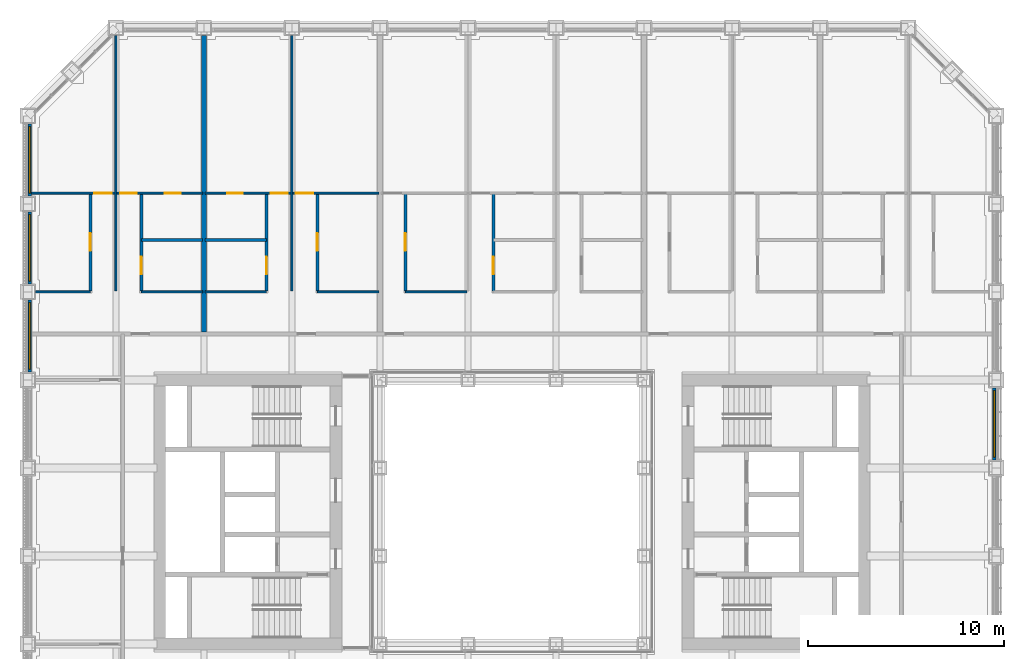
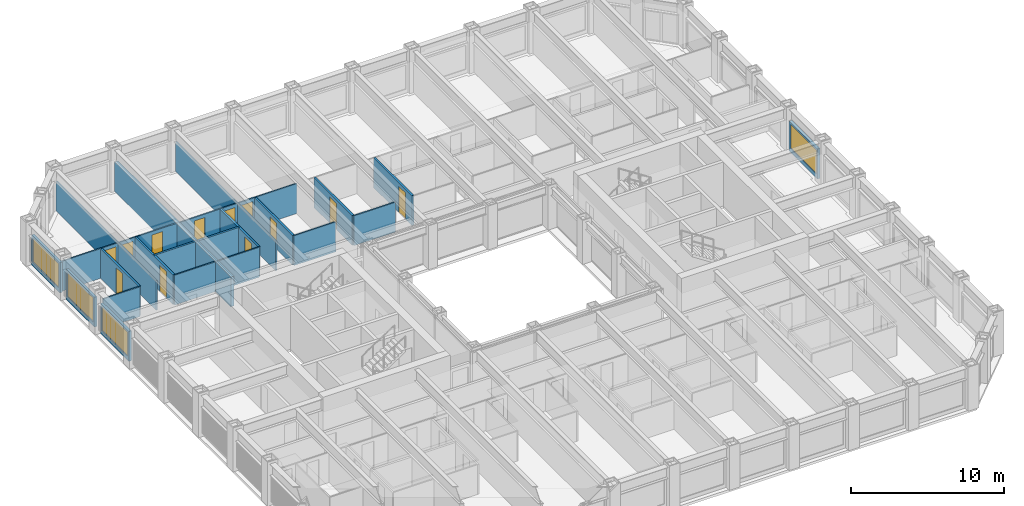
# One storey, part 13 of 21: 24 walls, 12 doors, 4 windows, 16 openings.
"""IFC4 building model written with IfcOpenShell, lengths in metres."""

from ifc_helpers import new_model, si_unit, direction, frame, frame_2d, origin, place, context, subcontext, project, spatial, rectangle, extrude, material, layer, layer_set, type_object, element, fill, save


model = new_model("IFC4")

# Units and contexts
model_context = context("Model", 3, precision=1e-05, world=origin(), true_north=direction((0.0, 1.0)))
body_context = subcontext(model_context, "Body", "Model", "MODEL_VIEW")
ifc_project = project(units=[si_unit("LENGTHUNIT", "METRE"), si_unit("AREAUNIT", "SQUARE_METRE"), si_unit("VOLUMEUNIT", "CUBIC_METRE"), si_unit("PLANEANGLEUNIT", "RADIAN"), si_unit("MASSUNIT", "GRAM", prefix="KILO")], contexts=[model_context])

# Site, building, storey
site_placement = place(None, origin())
site = spatial("IfcSite", under=ifc_project, at=site_placement, CompositionType="ELEMENT")
building_placement = place(site_placement, origin())
building = spatial("IfcBuilding", under=site, at=building_placement, Name="Msasa Ring Tower", CompositionType="ELEMENT")
storey_placement = place(building_placement, frame((0.0, 0.0, 51.0)))
storey = spatial("IfcBuildingStorey", under=building, at=storey_placement, Name="L12", CompositionType="ELEMENT", Elevation=51.0)

# Wall, opening, window
ifc_material_1 = material(Name="Terracotta rainscreen on blockwork", Category="masonry")
ifc_layer_1 = layer(ifc_material_1, 0.199951171875)
ifc_layer_set_1 = layer_set([ifc_layer_1], Name="FW1 TERRACOTTA-LINED INFILL BAY WALL 200")
wall_type_1 = type_object("IfcWallType", Name="FW1 TERRACOTTA-LINED INFILL BAY WALL 200", PredefinedType="SOLIDWALL", material=ifc_layer_set_1)
wall_1_placement = place(storey_placement, frame((24.64990234375, 2.655029296875, 0.0), z_axis=(0.0, 0.0, 1.0), x_axis=(0.0, 1.0, 0.0)))
wall_1 = element("IfcWall", 1, at=wall_1_placement, inside=storey, type_object=wall_type_1, Name="Infill bay wall E L12 16", PredefinedType="SOLIDWALL", context=body_context, shape_type="SweptSolid", body=[
    extrude(rectangle(XDim=3.68994140625, YDim=0.199951171875, at=frame_2d((1.844970703125, 0.0))), origin(), (0.0, 0.0, 1.0), 2.37890625),
])
opening_1_placement = place(wall_1_placement, frame((0.14501953125, 0.0, 0.300048828125)))
opening_1 = element("IfcOpeningElement", 2, at=opening_1_placement, cuts=wall_1, Name="Opening WN1", PredefinedType="OPENING", context=body_context, shape_type="SweptSolid", body=[
    extrude(rectangle(XDim=3.39990234375, YDim=1.928955078125, at=frame_2d((1.699951171875, 0.96435546875))), frame((0.0, 0.10986328125, 0.0), z_axis=(0.0, -1.0, 0.0), x_axis=(1.0, 0.0, 0.0)), (0.0, 0.0, 1.0), 0.219970703125),
])
ifc_material_2 = material(Name="Aluminium frame with clear glass", Category="aluminium")
window_type = type_object("IfcWindowType", Name="WN1 RESIDENCE WINDOW 3400x1929", PartitioningType="SINGLE_PANEL", PredefinedType="WINDOW", material=ifc_material_2)
window_1_placement = place(opening_1_placement, origin())
window_1 = element("IfcWindow", 3, at=window_1_placement, inside=storey, type_object=window_type, Name="Window E L12 16", OverallHeight=1.928955078125, OverallWidth=3.39990234375, PartitioningType="SINGLE_PANEL", PredefinedType="WINDOW", context=body_context, shape_type="SweptSolid", body=[
    extrude(rectangle(XDim=3.39990234375, YDim=1.928955078125, at=frame_2d((1.699951171875, 0.96435546875))), frame((0.0, 0.030029296875, 0.0), z_axis=(0.0, -1.0, 0.0), x_axis=(1.0, 0.0, 0.0)), (0.0, 0.0, 1.0), 0.06005859375),
])
fill(opening_1, window_1)

wall_2_placement = place(storey_placement, frame((-24.64990234375, 7.155029296875, 0.0), z_axis=(0.0, 0.0, 1.0), x_axis=(0.0, 1.0, 0.0)))
wall_2 = element("IfcWall", 4, at=wall_2_placement, inside=storey, type_object=wall_type_1, Name="Infill bay wall W L12 39", PredefinedType="SOLIDWALL", context=body_context, shape_type="SweptSolid", body=[
    extrude(rectangle(XDim=3.68994140625, YDim=0.199951171875, at=frame_2d((1.844970703125, 0.0))), origin(), (0.0, 0.0, 1.0), 2.37890625),
])
opening_2_placement = place(wall_2_placement, frame((0.14501953125, 0.0, 0.300048828125)))
opening_2 = element("IfcOpeningElement", 5, at=opening_2_placement, cuts=wall_2, Name="Opening WN1", PredefinedType="OPENING", context=body_context, shape_type="SweptSolid", body=[
    extrude(rectangle(XDim=3.39990234375, YDim=1.928955078125, at=frame_2d((1.699951171875, 0.96435546875))), frame((0.0, 0.10986328125, 0.0), z_axis=(0.0, -1.0, 0.0), x_axis=(1.0, 0.0, 0.0)), (0.0, 0.0, 1.0), 0.219970703125),
])
window_2_placement = place(opening_2_placement, origin())
window_2 = element("IfcWindow", 6, at=window_2_placement, inside=storey, type_object=window_type, Name="Window W L12 39", OverallHeight=1.928955078125, OverallWidth=3.39990234375, PartitioningType="SINGLE_PANEL", PredefinedType="WINDOW", context=body_context, shape_type="SweptSolid", body=[
    extrude(rectangle(XDim=3.39990234375, YDim=1.928955078125, at=frame_2d((1.699951171875, 0.96435546875))), frame((0.0, 0.030029296875, 0.0), z_axis=(0.0, -1.0, 0.0), x_axis=(1.0, 0.0, 0.0)), (0.0, 0.0, 1.0), 0.06005859375),
])
fill(opening_2, window_2)

wall_3_placement = place(storey_placement, frame((-24.64990234375, 11.655029296875, 0.0), z_axis=(0.0, 0.0, 1.0), x_axis=(0.0, 1.0, 0.0)))
wall_3 = element("IfcWall", 7, at=wall_3_placement, inside=storey, type_object=wall_type_1, Name="Infill bay wall W L12 40", PredefinedType="SOLIDWALL", context=body_context, shape_type="SweptSolid", body=[
    extrude(rectangle(XDim=3.68994140625, YDim=0.199951171875, at=frame_2d((1.844970703125, 0.0))), origin(), (0.0, 0.0, 1.0), 2.37890625),
])
opening_3_placement = place(wall_3_placement, frame((0.14501953125, 0.0, 0.300048828125)))
opening_3 = element("IfcOpeningElement", 8, at=opening_3_placement, cuts=wall_3, Name="Opening WN1", PredefinedType="OPENING", context=body_context, shape_type="SweptSolid", body=[
    extrude(rectangle(XDim=3.39990234375, YDim=1.928955078125, at=frame_2d((1.699951171875, 0.96435546875))), frame((0.0, 0.10986328125, 0.0), z_axis=(0.0, -1.0, 0.0), x_axis=(1.0, 0.0, 0.0)), (0.0, 0.0, 1.0), 0.219970703125),
])
window_3_placement = place(opening_3_placement, origin())
window_3 = element("IfcWindow", 9, at=window_3_placement, inside=storey, type_object=window_type, Name="Window W L12 40", OverallHeight=1.928955078125, OverallWidth=3.39990234375, PartitioningType="SINGLE_PANEL", PredefinedType="WINDOW", context=body_context, shape_type="SweptSolid", body=[
    extrude(rectangle(XDim=3.39990234375, YDim=1.928955078125, at=frame_2d((1.699951171875, 0.96435546875))), frame((0.0, 0.030029296875, 0.0), z_axis=(0.0, -1.0, 0.0), x_axis=(1.0, 0.0, 0.0)), (0.0, 0.0, 1.0), 0.06005859375),
])
fill(opening_3, window_3)

wall_4_placement = place(storey_placement, frame((-24.64990234375, 16.155029296875, 0.0), z_axis=(0.0, 0.0, 1.0), x_axis=(0.0, 1.0, 0.0)))
wall_4 = element("IfcWall", 10, at=wall_4_placement, inside=storey, type_object=wall_type_1, Name="Infill bay wall W L12 41", PredefinedType="SOLIDWALL", context=body_context, shape_type="SweptSolid", body=[
    extrude(rectangle(XDim=3.68994140625, YDim=0.199951171875, at=frame_2d((1.844970703125, 0.0))), origin(), (0.0, 0.0, 1.0), 2.37890625),
])
opening_4_placement = place(wall_4_placement, frame((0.14501953125, 0.0, 0.300048828125)))
opening_4 = element("IfcOpeningElement", 11, at=opening_4_placement, cuts=wall_4, Name="Opening WN1", PredefinedType="OPENING", context=body_context, shape_type="SweptSolid", body=[
    extrude(rectangle(XDim=3.39990234375, YDim=1.928955078125, at=frame_2d((1.699951171875, 0.96435546875))), frame((0.0, 0.10986328125, 0.0), z_axis=(0.0, -1.0, 0.0), x_axis=(1.0, 0.0, 0.0)), (0.0, 0.0, 1.0), 0.219970703125),
])
window_4_placement = place(opening_4_placement, origin())
window_4 = element("IfcWindow", 12, at=window_4_placement, inside=storey, type_object=window_type, Name="Window W L12 41", OverallHeight=1.928955078125, OverallWidth=3.39990234375, PartitioningType="SINGLE_PANEL", PredefinedType="WINDOW", context=body_context, shape_type="SweptSolid", body=[
    extrude(rectangle(XDim=3.39990234375, YDim=1.928955078125, at=frame_2d((1.699951171875, 0.96435546875))), frame((0.0, 0.030029296875, 0.0), z_axis=(0.0, -1.0, 0.0), x_axis=(1.0, 0.0, 0.0)), (0.0, 0.0, 1.0), 0.06005859375),
])
fill(opening_4, window_4)

# Wall
ifc_material_3 = material(Name="Gypsum board on steel studs", Category="steel")
ifc_layer_2 = layer(ifc_material_3, 0.10009765625)
ifc_layer_set_2 = layer_set([ifc_layer_2], Name="PT2 STUD PARTITION 100")
wall_type_2 = type_object("IfcWallType", Name="PT2 STUD PARTITION 100", PredefinedType="PARTITIONING", material=ifc_layer_set_2)
wall_5_placement = place(storey_placement, frame((-24.35009765625, 11.25, 0.0), z_axis=(0.0, 0.0, 1.0), x_axis=(1.0, 0.0, 0.0)))
element("IfcWall", 13, at=wall_5_placement, inside=storey, type_object=wall_type_2, Name="Partition L12-UN00HY0", PredefinedType="PARTITIONING", context=body_context, shape_type="SweptSolid", body=[
    extrude(rectangle(XDim=2.800048828125, YDim=0.10009765625, at=frame_2d((1.39990234375, 0.0))), origin(), (0.0, 0.0, 1.0), 2.373291015625),
])

# Wall, opening, door
wall_6_placement = place(storey_placement, frame((-24.550048828125, 16.300048828125, 0.0), z_axis=(0.0, 0.0, 1.0), x_axis=(1.0, 0.0, 0.0)))
wall_6 = element("IfcWall", 14, at=wall_6_placement, inside=storey, type_object=wall_type_2, Name="Partition L12-UN00SY0", PredefinedType="PARTITIONING", context=body_context, shape_type="SweptSolid", body=[
    extrude(rectangle(XDim=4.25, YDim=0.10009765625, at=frame_2d((2.125, 0.0))), origin(), (0.0, 0.0, 1.0), 2.373291015625),
])
opening_5_placement = place(wall_6_placement, frame((3.199951171875, 0.0, 0.0)))
opening_5 = element("IfcOpeningElement", 15, at=opening_5_placement, cuts=wall_6, Name="Opening RC-001", PredefinedType="OPENING", context=body_context, shape_type="SweptSolid", body=[
    extrude(rectangle(XDim=0.89990234375, YDim=2.10009765625, at=frame_2d((0.449951171875, 1.050048828125))), frame((0.0, 0.06005859375, 0.0), z_axis=(0.0, -1.0, 0.0), x_axis=(1.0, 0.0, 0.0)), (0.0, 0.0, 1.0), 0.1201171875),
])
ifc_material_4 = material(Name="Timber door leaf in a steel frame", Category="steel")
door_type_1 = type_object("IfcDoorType", Name="D22 INTERNAL HALL DOOR 900x2100", OperationType="SINGLE_SWING_LEFT", PredefinedType="DOOR", material=ifc_material_4)
door_1_placement = place(opening_5_placement, origin())
door_1 = element("IfcDoor", 16, at=door_1_placement, inside=storey, type_object=door_type_1, Name="Door L12-UN00L", OperationType="SINGLE_SWING_RIGHT", OverallHeight=2.10009765625, OverallWidth=0.89990234375, PredefinedType="DOOR", context=body_context, shape_type="SweptSolid", body=[
    extrude(rectangle(XDim=0.89990234375, YDim=2.10009765625, at=frame_2d((0.449951171875, 1.050048828125))), frame((0.0, 0.02490234375, 0.0), z_axis=(0.0, -1.0, 0.0), x_axis=(1.0, 0.0, 0.0)), (0.0, 0.0, 1.0), 0.050048828125),
])
fill(opening_5, door_1)

# Walls
wall_7_placement = place(storey_placement, frame((-20.25, 11.300048828125, 0.0), z_axis=(0.0, 0.0, 1.0), x_axis=(0.0, 1.0, 0.0)))
element("IfcWall", 17, at=wall_7_placement, inside=storey, type_object=wall_type_2, Name="Partition L12-UN00P1", PredefinedType="PARTITIONING", context=body_context, shape_type="SweptSolid", body=[
    extrude(rectangle(XDim=13.050048828125, YDim=0.10009765625, at=frame_2d((6.52490234375, 0.0))), origin(), (0.0, 0.0, 1.0), 2.373291015625),
])
wall_8_placement = place(storey_placement, frame((-18.949951171875, 11.25, 0.0), z_axis=(0.0, 0.0, 1.0), x_axis=(1.0, 0.0, 0.0)))
element("IfcWall", 18, at=wall_8_placement, inside=storey, type_object=wall_type_2, Name="Partition L12-UN00HY1", PredefinedType="PARTITIONING", context=body_context, shape_type="SweptSolid", body=[
    extrude(rectangle(XDim=3.139892578125, YDim=0.10009765625, at=frame_2d((1.56982421875, 0.0))), origin(), (0.0, 0.0, 1.0), 2.373291015625),
])

# Wall, openings, doors
wall_9_placement = place(storey_placement, frame((-20.199951171875, 16.300048828125, 0.0), z_axis=(0.0, 0.0, 1.0), x_axis=(1.0, 0.0, 0.0)))
wall_9 = element("IfcWall", 19, at=wall_9_placement, inside=storey, type_object=wall_type_2, Name="Partition L12-UN00SY1", PredefinedType="PARTITIONING", context=body_context, shape_type="SweptSolid", body=[
    extrude(rectangle(XDim=4.389892578125, YDim=0.10009765625, at=frame_2d((2.19482421875, 0.0))), origin(), (0.0, 0.0, 1.0), 2.373291015625),
])
opening_6_placement = place(wall_9_placement, frame((0.175048828125, 0.0, 0.0)))
opening_6 = element("IfcOpeningElement", 20, at=opening_6_placement, cuts=wall_9, Name="Opening RC-002", PredefinedType="OPENING", context=body_context, shape_type="SweptSolid", body=[
    extrude(rectangle(XDim=0.85009765625, YDim=2.10009765625, at=frame_2d((0.425048828125, 1.050048828125))), frame((0.0, 0.06005859375, 0.0), z_axis=(0.0, -1.0, 0.0), x_axis=(1.0, 0.0, 0.0)), (0.0, 0.0, 1.0), 0.1201171875),
])
opening_7_placement = place(wall_9_placement, frame((2.4599609375, 0.0, 0.0)))
opening_7 = element("IfcOpeningElement", 21, at=opening_7_placement, cuts=wall_9, Name="Opening RC-003", PredefinedType="OPENING", context=body_context, shape_type="SweptSolid", body=[
    extrude(rectangle(XDim=0.800048828125, YDim=2.10009765625, at=frame_2d((0.39990234375, 1.050048828125))), frame((0.0, 0.06005859375, 0.0), z_axis=(0.0, -1.0, 0.0), x_axis=(1.0, 0.0, 0.0)), (0.0, 0.0, 1.0), 0.1201171875),
])
ifc_material_5 = material(Name="Timber door leaf in a steel frame", Category="steel")
door_type_2 = type_object("IfcDoorType", Name="D14 BEDROOM DOOR 850x2100", OperationType="SINGLE_SWING_LEFT", PredefinedType="DOOR", material=ifc_material_5)
door_2_placement = place(opening_6_placement, origin())
door_2 = element("IfcDoor", 22, at=door_2_placement, inside=storey, type_object=door_type_2, Name="Door L12-UN00R1", OperationType="SINGLE_SWING_LEFT", OverallHeight=2.10009765625, OverallWidth=0.85009765625, PredefinedType="DOOR", context=body_context, shape_type="SweptSolid", body=[
    extrude(rectangle(XDim=0.85009765625, YDim=2.10009765625, at=frame_2d((0.425048828125, 1.050048828125))), frame((0.0, 0.02490234375, 0.0), z_axis=(0.0, -1.0, 0.0), x_axis=(1.0, 0.0, 0.0)), (0.0, 0.0, 1.0), 0.050048828125),
])
fill(opening_6, door_2)
ifc_material_6 = material(Name="Timber door leaf in a steel frame", Category="steel")
door_type_3 = type_object("IfcDoorType", Name="D60 DRESSING ROOM DOOR 800x2100", OperationType="SINGLE_SWING_LEFT", PredefinedType="DOOR", material=ifc_material_6)
door_3_placement = place(opening_7_placement, origin())
door_3 = element("IfcDoor", 23, at=door_3_placement, inside=storey, type_object=door_type_3, Name="Door L12-UN00W1", OperationType="SINGLE_SWING_RIGHT", OverallHeight=2.10009765625, OverallWidth=0.800048828125, PredefinedType="DOOR", context=body_context, shape_type="SweptSolid", body=[
    extrude(rectangle(XDim=0.800048828125, YDim=2.10009765625, at=frame_2d((0.39990234375, 1.050048828125))), frame((0.0, 0.02490234375, 0.0), z_axis=(0.0, -1.0, 0.0), x_axis=(1.0, 0.0, 0.0)), (0.0, 0.0, 1.0), 0.050048828125),
])
fill(opening_7, door_3)

# Wall
wall_10_placement = place(storey_placement, frame((-9.949951171875, 11.25, 0.0), z_axis=(0.0, 0.0, 1.0), x_axis=(1.0, 0.0, 0.0)))
element("IfcWall", 24, at=wall_10_placement, inside=storey, type_object=wall_type_2, Name="Partition L12-UN01HY0", PredefinedType="PARTITIONING", context=body_context, shape_type="SweptSolid", body=[
    extrude(rectangle(XDim=3.139892578125, YDim=0.10009765625, at=frame_2d((1.56982421875, 0.0))), origin(), (0.0, 0.0, 1.0), 2.373291015625),
])

# Wall, opening, door
wall_11_placement = place(storey_placement, frame((-11.199951171875, 16.300048828125, 0.0), z_axis=(0.0, 0.0, 1.0), x_axis=(1.0, 0.0, 0.0)))
wall_11 = element("IfcWall", 25, at=wall_11_placement, inside=storey, type_object=wall_type_2, Name="Partition L12-UN01SY0", PredefinedType="PARTITIONING", context=body_context, shape_type="SweptSolid", body=[
    extrude(rectangle(XDim=4.389892578125, YDim=0.10009765625, at=frame_2d((2.19482421875, 0.0))), origin(), (0.0, 0.0, 1.0), 2.373291015625),
])
opening_8_placement = place(wall_11_placement, frame((0.14990234375, 0.0, 0.0)))
opening_8 = element("IfcOpeningElement", 26, at=opening_8_placement, cuts=wall_11, Name="Opening RC-006", PredefinedType="OPENING", context=body_context, shape_type="SweptSolid", body=[
    extrude(rectangle(XDim=0.89990234375, YDim=2.10009765625, at=frame_2d((0.449951171875, 1.050048828125))), frame((0.0, 0.06005859375, 0.0), z_axis=(0.0, -1.0, 0.0), x_axis=(1.0, 0.0, 0.0)), (0.0, 0.0, 1.0), 0.1201171875),
])
door_4_placement = place(opening_8_placement, origin())
door_4 = element("IfcDoor", 27, at=door_4_placement, inside=storey, type_object=door_type_1, Name="Door L12-UN01L", OperationType="SINGLE_SWING_LEFT", OverallHeight=2.10009765625, OverallWidth=0.89990234375, PredefinedType="DOOR", context=body_context, shape_type="SweptSolid", body=[
    extrude(rectangle(XDim=0.89990234375, YDim=2.10009765625, at=frame_2d((0.449951171875, 1.050048828125))), frame((0.0, 0.02490234375, 0.0), z_axis=(0.0, -1.0, 0.0), x_axis=(1.0, 0.0, 0.0)), (0.0, 0.0, 1.0), 0.050048828125),
])
fill(opening_8, door_4)

# Walls
wall_12_placement = place(storey_placement, frame((-11.25, 11.300048828125, 0.0), z_axis=(0.0, 0.0, 1.0), x_axis=(0.0, 1.0, 0.0)))
element("IfcWall", 28, at=wall_12_placement, inside=storey, type_object=wall_type_2, Name="Partition L12-UN01P1", PredefinedType="PARTITIONING", context=body_context, shape_type="SweptSolid", body=[
    extrude(rectangle(XDim=13.050048828125, YDim=0.10009765625, at=frame_2d((6.52490234375, 0.0))), origin(), (0.0, 0.0, 1.0), 2.373291015625),
])
wall_13_placement = place(storey_placement, frame((-15.68994140625, 11.25, 0.0), z_axis=(0.0, 0.0, 1.0), x_axis=(1.0, 0.0, 0.0)))
element("IfcWall", 29, at=wall_13_placement, inside=storey, type_object=wall_type_2, Name="Partition L12-UN01HY1", PredefinedType="PARTITIONING", context=body_context, shape_type="SweptSolid", body=[
    extrude(rectangle(XDim=3.139892578125, YDim=0.10009765625, at=frame_2d((1.56982421875, 0.0))), origin(), (0.0, 0.0, 1.0), 2.373291015625),
])

# Wall, openings, doors
wall_14_placement = place(storey_placement, frame((-15.68994140625, 16.300048828125, 0.0), z_axis=(0.0, 0.0, 1.0), x_axis=(1.0, 0.0, 0.0)))
wall_14 = element("IfcWall", 30, at=wall_14_placement, inside=storey, type_object=wall_type_2, Name="Partition L12-UN01SY1", PredefinedType="PARTITIONING", context=body_context, shape_type="SweptSolid", body=[
    extrude(rectangle(XDim=4.389892578125, YDim=0.10009765625, at=frame_2d((2.19482421875, 0.0))), origin(), (0.0, 0.0, 1.0), 2.373291015625),
])
opening_9_placement = place(wall_14_placement, frame((3.364990234375, 0.0, 0.0)))
opening_9 = element("IfcOpeningElement", 31, at=opening_9_placement, cuts=wall_14, Name="Opening RC-005", PredefinedType="OPENING", context=body_context, shape_type="SweptSolid", body=[
    extrude(rectangle(XDim=0.85009765625, YDim=2.10009765625, at=frame_2d((0.425048828125, 1.050048828125))), frame((0.0, 0.06005859375, 0.0), z_axis=(0.0, -1.0, 0.0), x_axis=(1.0, 0.0, 0.0)), (0.0, 0.0, 1.0), 0.1201171875),
])
opening_10_placement = place(wall_14_placement, frame((1.1298828125, 0.0, 0.0)))
opening_10 = element("IfcOpeningElement", 32, at=opening_10_placement, cuts=wall_14, Name="Opening RC-004", PredefinedType="OPENING", context=body_context, shape_type="SweptSolid", body=[
    extrude(rectangle(XDim=0.800048828125, YDim=2.10009765625, at=frame_2d((0.39990234375, 1.050048828125))), frame((0.0, 0.06005859375, 0.0), z_axis=(0.0, -1.0, 0.0), x_axis=(1.0, 0.0, 0.0)), (0.0, 0.0, 1.0), 0.1201171875),
])
door_5_placement = place(opening_9_placement, origin())
door_5 = element("IfcDoor", 33, at=door_5_placement, inside=storey, type_object=door_type_2, Name="Door L12-UN01R1", OperationType="SINGLE_SWING_RIGHT", OverallHeight=2.10009765625, OverallWidth=0.85009765625, PredefinedType="DOOR", context=body_context, shape_type="SweptSolid", body=[
    extrude(rectangle(XDim=0.85009765625, YDim=2.10009765625, at=frame_2d((0.425048828125, 1.050048828125))), frame((0.0, 0.02490234375, 0.0), z_axis=(0.0, -1.0, 0.0), x_axis=(1.0, 0.0, 0.0)), (0.0, 0.0, 1.0), 0.050048828125),
])
fill(opening_9, door_5)
door_6_placement = place(opening_10_placement, origin())
door_6 = element("IfcDoor", 34, at=door_6_placement, inside=storey, type_object=door_type_3, Name="Door L12-UN01W1", OperationType="SINGLE_SWING_LEFT", OverallHeight=2.10009765625, OverallWidth=0.800048828125, PredefinedType="DOOR", context=body_context, shape_type="SweptSolid", body=[
    extrude(rectangle(XDim=0.800048828125, YDim=2.10009765625, at=frame_2d((0.39990234375, 1.050048828125))), frame((0.0, 0.02490234375, 0.0), z_axis=(0.0, -1.0, 0.0), x_axis=(1.0, 0.0, 0.0)), (0.0, 0.0, 1.0), 0.050048828125),
])
fill(opening_10, door_6)

# Walls
wall_15_placement = place(storey_placement, frame((-5.449951171875, 11.25, 0.0), z_axis=(0.0, 0.0, 1.0), x_axis=(1.0, 0.0, 0.0)))
element("IfcWall", 35, at=wall_15_placement, inside=storey, type_object=wall_type_2, Name="Partition L12-UN02HY0", PredefinedType="PARTITIONING", context=body_context, shape_type="SweptSolid", body=[
    extrude(rectangle(XDim=3.139892578125, YDim=0.10009765625, at=frame_2d((1.56982421875, 0.0))), origin(), (0.0, 0.0, 1.0), 2.373291015625),
])
ifc_material_7 = material(Name="Dense concrete blockwork, plastered both faces", Category="masonry")
ifc_layer_3 = layer(ifc_material_7, 0.25)
ifc_layer_set_3 = layer_set([ifc_layer_3], Name="PT3 APARTMENT SEPARATING WALL 250")
wall_type_3 = type_object("IfcWallType", Name="PT3 APARTMENT SEPARATING WALL 250", PredefinedType="PARTITIONING", material=ifc_layer_set_3)
wall_16_placement = place(storey_placement, frame((-15.75, 9.199951171875, 0.0), z_axis=(0.0, 0.0, 1.0), x_axis=(0.0, 1.0, 0.0)))
element("IfcWall", 36, at=wall_16_placement, inside=storey, type_object=wall_type_3, Name="Party wall L12-PWN-15.75", PredefinedType="PARTITIONING", context=body_context, shape_type="SweptSolid", body=[
    extrude(rectangle(XDim=15.150146484375, YDim=0.25, at=frame_2d((7.5751953125, 0.0))), origin(), (0.0, 0.0, 1.0), 2.373291015625),
])

# Wall, opening, door
ifc_material_8 = material(Name="Moisture-resistant board on steel studs with a concealed cistern and pipe void, tiled", Category="steel")
ifc_layer_4 = layer(ifc_material_8, 0.14990234375)
ifc_layer_set_4 = layer_set([ifc_layer_4], Name="PT4 BATHROOM WET WALL 150")
wall_type_4 = type_object("IfcWallType", Name="PT4 BATHROOM WET WALL 150", PredefinedType="PARTITIONING", material=ifc_layer_set_4)
wall_17_placement = place(storey_placement, frame((-21.550048828125, 11.300048828125, 0.0), z_axis=(0.0, 0.0, 1.0), x_axis=(0.0, 1.0, 0.0)))
wall_17 = element("IfcWall", 37, at=wall_17_placement, inside=storey, type_object=wall_type_4, Name="Partition L12-UN00SX0", PredefinedType="PARTITIONING", context=body_context, shape_type="SweptSolid", body=[
    extrude(rectangle(XDim=5.0, YDim=0.14990234375, at=frame_2d((2.5, 0.0))), origin(), (0.0, 0.0, 1.0), 2.373291015625),
])
opening_11_placement = place(wall_17_placement, frame((2.050048828125, 0.0, 0.0)))
opening_11 = element("IfcOpeningElement", 38, at=opening_11_placement, cuts=wall_17, Name="Opening RC-018", PredefinedType="OPENING", context=body_context, shape_type="SweptSolid", body=[
    extrude(rectangle(XDim=0.89990234375, YDim=2.10009765625, at=frame_2d((0.449951171875, 1.050048828125))), frame((0.0, 0.0849609375, 0.0), z_axis=(0.0, -1.0, 0.0), x_axis=(1.0, 0.0, 0.0)), (0.0, 0.0, 1.0), 0.169921875),
])
door_7_placement = place(opening_11_placement, origin())
door_7 = element("IfcDoor", 39, at=door_7_placement, inside=storey, type_object=door_type_1, Name="Door L12-UN00K", OperationType="SINGLE_SWING_LEFT", OverallHeight=2.10009765625, OverallWidth=0.89990234375, PredefinedType="DOOR", context=body_context, shape_type="SweptSolid", body=[
    extrude(rectangle(XDim=0.89990234375, YDim=2.10009765625, at=frame_2d((0.449951171875, 1.050048828125))), frame((0.0, 0.02490234375, 0.0), z_axis=(0.0, -1.0, 0.0), x_axis=(1.0, 0.0, 0.0)), (0.0, 0.0, 1.0), 0.050048828125),
])
fill(opening_11, door_7)

wall_18_placement = place(storey_placement, frame((-18.949951171875, 11.300048828125, 0.0), z_axis=(0.0, 0.0, 1.0), x_axis=(0.0, 1.0, 0.0)))
wall_18 = element("IfcWall", 40, at=wall_18_placement, inside=storey, type_object=wall_type_4, Name="Partition L12-UN00SX1", PredefinedType="PARTITIONING", context=body_context, shape_type="SweptSolid", body=[
    extrude(rectangle(XDim=5.0, YDim=0.14990234375, at=frame_2d((2.5, 0.0))), origin(), (0.0, 0.0, 1.0), 2.373291015625),
])
opening_12_placement = place(wall_18_placement, frame((0.85009765625, 0.0, 0.0)))
opening_12 = element("IfcOpeningElement", 41, at=opening_12_placement, cuts=wall_18, Name="Opening RC-023", PredefinedType="OPENING", context=body_context, shape_type="SweptSolid", body=[
    extrude(rectangle(XDim=0.89990234375, YDim=2.10009765625, at=frame_2d((0.449951171875, 1.050048828125))), frame((0.0, 0.0849609375, 0.0), z_axis=(0.0, -1.0, 0.0), x_axis=(1.0, 0.0, 0.0)), (0.0, 0.0, 1.0), 0.169921875),
])
ifc_material_9 = material(Name="Timber door leaf in a steel frame", Category="steel")
door_type_4 = type_object("IfcDoorType", Name="D3 BATHROOM DOOR 900x2100", OperationType="SINGLE_SWING_LEFT", PredefinedType="DOOR", material=ifc_material_9)
door_8_placement = place(opening_12_placement, origin())
door_8 = element("IfcDoor", 42, at=door_8_placement, inside=storey, type_object=door_type_4, Name="Door L12-UN00B1", OperationType="SINGLE_SWING_LEFT", OverallHeight=2.10009765625, OverallWidth=0.89990234375, PredefinedType="DOOR", context=body_context, shape_type="SweptSolid", body=[
    extrude(rectangle(XDim=0.89990234375, YDim=2.10009765625, at=frame_2d((0.449951171875, 1.050048828125))), frame((0.0, 0.02490234375, 0.0), z_axis=(0.0, -1.0, 0.0), x_axis=(1.0, 0.0, 0.0)), (0.0, 0.0, 1.0), 0.050048828125),
])
fill(opening_12, door_8)

# Wall
wall_19_placement = place(storey_placement, frame((-18.949951171875, 13.89990234375, 0.0), z_axis=(0.0, 0.0, 1.0), x_axis=(1.0, 0.0, 0.0)))
element("IfcWall", 43, at=wall_19_placement, inside=storey, type_object=wall_type_4, Name="Partition L12-UN00SB1", PredefinedType="PARTITIONING", context=body_context, shape_type="SweptSolid", body=[
    extrude(rectangle(XDim=3.139892578125, YDim=0.14990234375, at=frame_2d((1.56982421875, 0.0))), origin(), (0.0, 0.0, 1.0), 2.373291015625),
])

# Wall, opening, door
wall_20_placement = place(storey_placement, frame((-9.949951171875, 11.300048828125, 0.0), z_axis=(0.0, 0.0, 1.0), x_axis=(0.0, 1.0, 0.0)))
wall_20 = element("IfcWall", 44, at=wall_20_placement, inside=storey, type_object=wall_type_4, Name="Partition L12-UN01SX0", PredefinedType="PARTITIONING", context=body_context, shape_type="SweptSolid", body=[
    extrude(rectangle(XDim=5.0, YDim=0.14990234375, at=frame_2d((2.5, 0.0))), origin(), (0.0, 0.0, 1.0), 2.373291015625),
])
opening_13_placement = place(wall_20_placement, frame((2.050048828125, 0.0, 0.0)))
opening_13 = element("IfcOpeningElement", 45, at=opening_13_placement, cuts=wall_20, Name="Opening RC-019", PredefinedType="OPENING", context=body_context, shape_type="SweptSolid", body=[
    extrude(rectangle(XDim=0.89990234375, YDim=2.10009765625, at=frame_2d((0.449951171875, 1.050048828125))), frame((0.0, 0.0849609375, 0.0), z_axis=(0.0, -1.0, 0.0), x_axis=(1.0, 0.0, 0.0)), (0.0, 0.0, 1.0), 0.169921875),
])
door_9_placement = place(opening_13_placement, origin())
door_9 = element("IfcDoor", 46, at=door_9_placement, inside=storey, type_object=door_type_1, Name="Door L12-UN01K", OperationType="SINGLE_SWING_LEFT", OverallHeight=2.10009765625, OverallWidth=0.89990234375, PredefinedType="DOOR", context=body_context, shape_type="SweptSolid", body=[
    extrude(rectangle(XDim=0.89990234375, YDim=2.10009765625, at=frame_2d((0.449951171875, 1.050048828125))), frame((0.0, 0.02490234375, 0.0), z_axis=(0.0, -1.0, 0.0), x_axis=(1.0, 0.0, 0.0)), (0.0, 0.0, 1.0), 0.050048828125),
])
fill(opening_13, door_9)

wall_21_placement = place(storey_placement, frame((-12.550048828125, 11.300048828125, 0.0), z_axis=(0.0, 0.0, 1.0), x_axis=(0.0, 1.0, 0.0)))
wall_21 = element("IfcWall", 47, at=wall_21_placement, inside=storey, type_object=wall_type_4, Name="Partition L12-UN01SX1", PredefinedType="PARTITIONING", context=body_context, shape_type="SweptSolid", body=[
    extrude(rectangle(XDim=5.0, YDim=0.14990234375, at=frame_2d((2.5, 0.0))), origin(), (0.0, 0.0, 1.0), 2.373291015625),
])
opening_14_placement = place(wall_21_placement, frame((0.85009765625, 0.0, 0.0)))
opening_14 = element("IfcOpeningElement", 48, at=opening_14_placement, cuts=wall_21, Name="Opening RC-024", PredefinedType="OPENING", context=body_context, shape_type="SweptSolid", body=[
    extrude(rectangle(XDim=0.89990234375, YDim=2.10009765625, at=frame_2d((0.449951171875, 1.050048828125))), frame((0.0, 0.0849609375, 0.0), z_axis=(0.0, -1.0, 0.0), x_axis=(1.0, 0.0, 0.0)), (0.0, 0.0, 1.0), 0.169921875),
])
door_10_placement = place(opening_14_placement, origin())
door_10 = element("IfcDoor", 49, at=door_10_placement, inside=storey, type_object=door_type_4, Name="Door L12-UN01B1", OperationType="SINGLE_SWING_LEFT", OverallHeight=2.10009765625, OverallWidth=0.89990234375, PredefinedType="DOOR", context=body_context, shape_type="SweptSolid", body=[
    extrude(rectangle(XDim=0.89990234375, YDim=2.10009765625, at=frame_2d((0.449951171875, 1.050048828125))), frame((0.0, 0.02490234375, 0.0), z_axis=(0.0, -1.0, 0.0), x_axis=(1.0, 0.0, 0.0)), (0.0, 0.0, 1.0), 0.050048828125),
])
fill(opening_14, door_10)

# Wall
wall_22_placement = place(storey_placement, frame((-15.68994140625, 13.89990234375, 0.0), z_axis=(0.0, 0.0, 1.0), x_axis=(1.0, 0.0, 0.0)))
element("IfcWall", 50, at=wall_22_placement, inside=storey, type_object=wall_type_4, Name="Partition L12-UN01SB1", PredefinedType="PARTITIONING", context=body_context, shape_type="SweptSolid", body=[
    extrude(rectangle(XDim=3.139892578125, YDim=0.14990234375, at=frame_2d((1.56982421875, 0.0))), origin(), (0.0, 0.0, 1.0), 2.373291015625),
])

# Wall, opening, door
wall_23_placement = place(storey_placement, frame((-5.449951171875, 11.300048828125, 0.0), z_axis=(0.0, 0.0, 1.0), x_axis=(0.0, 1.0, 0.0)))
wall_23 = element("IfcWall", 51, at=wall_23_placement, inside=storey, type_object=wall_type_4, Name="Partition L12-UN02SX0", PredefinedType="PARTITIONING", context=body_context, shape_type="SweptSolid", body=[
    extrude(rectangle(XDim=5.0, YDim=0.14990234375, at=frame_2d((2.5, 0.0))), origin(), (0.0, 0.0, 1.0), 2.373291015625),
])
opening_15_placement = place(wall_23_placement, frame((2.050048828125, 0.0, 0.0)))
opening_15 = element("IfcOpeningElement", 52, at=opening_15_placement, cuts=wall_23, Name="Opening RC-020", PredefinedType="OPENING", context=body_context, shape_type="SweptSolid", body=[
    extrude(rectangle(XDim=0.89990234375, YDim=2.10009765625, at=frame_2d((0.449951171875, 1.050048828125))), frame((0.0, 0.0849609375, 0.0), z_axis=(0.0, -1.0, 0.0), x_axis=(1.0, 0.0, 0.0)), (0.0, 0.0, 1.0), 0.169921875),
])
door_11_placement = place(opening_15_placement, origin())
door_11 = element("IfcDoor", 53, at=door_11_placement, inside=storey, type_object=door_type_1, Name="Door L12-UN02K", OperationType="SINGLE_SWING_LEFT", OverallHeight=2.10009765625, OverallWidth=0.89990234375, PredefinedType="DOOR", context=body_context, shape_type="SweptSolid", body=[
    extrude(rectangle(XDim=0.89990234375, YDim=2.10009765625, at=frame_2d((0.449951171875, 1.050048828125))), frame((0.0, 0.02490234375, 0.0), z_axis=(0.0, -1.0, 0.0), x_axis=(1.0, 0.0, 0.0)), (0.0, 0.0, 1.0), 0.050048828125),
])
fill(opening_15, door_11)

wall_24_placement = place(storey_placement, frame((-0.949951171875, 11.300048828125, 0.0), z_axis=(0.0, 0.0, 1.0), x_axis=(0.0, 1.0, 0.0)))
wall_24 = element("IfcWall", 54, at=wall_24_placement, inside=storey, type_object=wall_type_4, Name="Partition L12-UN02SX1", PredefinedType="PARTITIONING", context=body_context, shape_type="SweptSolid", body=[
    extrude(rectangle(XDim=5.0, YDim=0.14990234375, at=frame_2d((2.5, 0.0))), origin(), (0.0, 0.0, 1.0), 2.373291015625),
])
opening_16_placement = place(wall_24_placement, frame((0.85009765625, 0.0, 0.0)))
opening_16 = element("IfcOpeningElement", 55, at=opening_16_placement, cuts=wall_24, Name="Opening RC-025", PredefinedType="OPENING", context=body_context, shape_type="SweptSolid", body=[
    extrude(rectangle(XDim=0.89990234375, YDim=2.10009765625, at=frame_2d((0.449951171875, 1.050048828125))), frame((0.0, 0.0849609375, 0.0), z_axis=(0.0, -1.0, 0.0), x_axis=(1.0, 0.0, 0.0)), (0.0, 0.0, 1.0), 0.169921875),
])
door_12_placement = place(opening_16_placement, origin())
door_12 = element("IfcDoor", 56, at=door_12_placement, inside=storey, type_object=door_type_4, Name="Door L12-UN02B1", OperationType="SINGLE_SWING_LEFT", OverallHeight=2.10009765625, OverallWidth=0.89990234375, PredefinedType="DOOR", context=body_context, shape_type="SweptSolid", body=[
    extrude(rectangle(XDim=0.89990234375, YDim=2.10009765625, at=frame_2d((0.449951171875, 1.050048828125))), frame((0.0, 0.02490234375, 0.0), z_axis=(0.0, -1.0, 0.0), x_axis=(1.0, 0.0, 0.0)), (0.0, 0.0, 1.0), 0.050048828125),
])
fill(opening_16, door_12)

save(model, "model.ifc")
